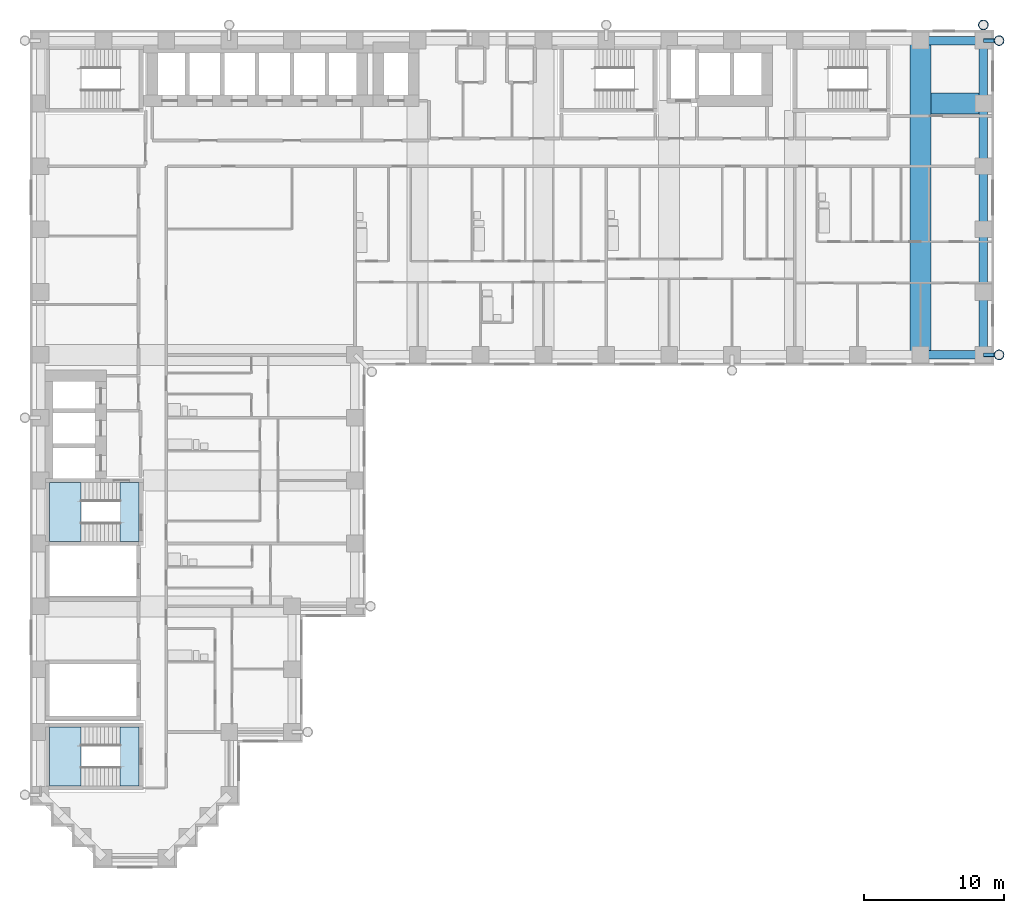
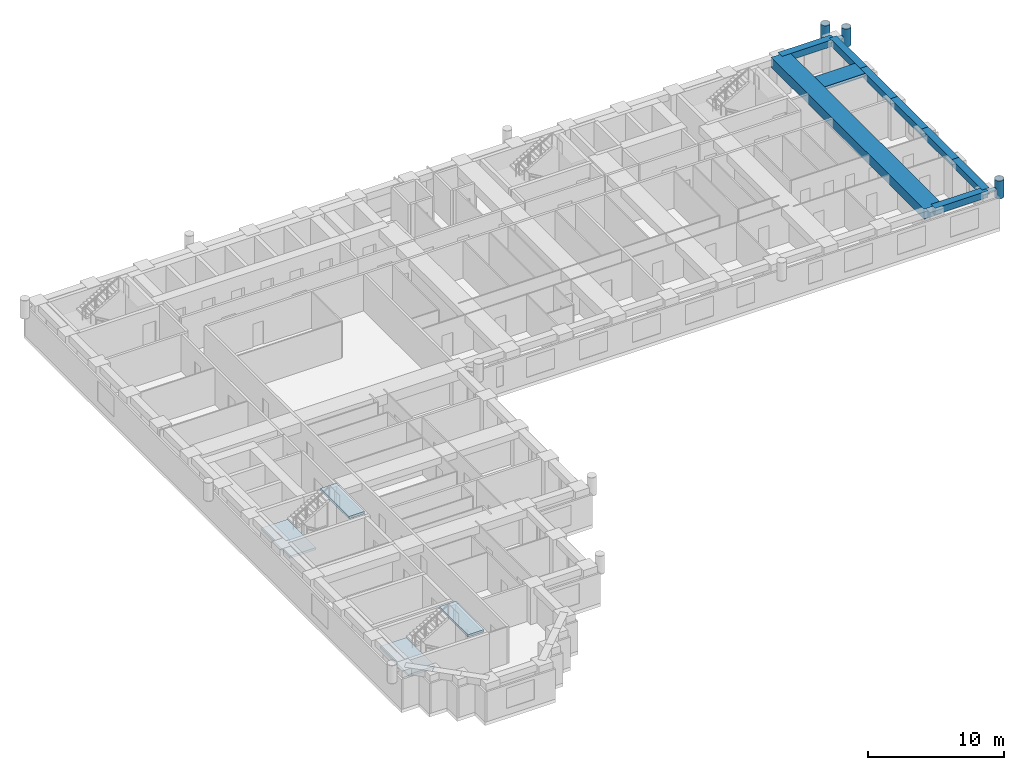
# One storey, part 3 of 14: 9 beams, 5 members, 4 slabs, 2 elements without a shape of their own.
"""IFC4 building model written with IfcOpenShell, lengths in metres."""

from ifc_helpers import new_model, si_unit, direction, frame, origin, origin_2d, place, context, subcontext, project, spatial, polyline, rectangle, hollow_circle, outline, extrude, material, layer, layer_set, material_profile, profile_set, type_object, element, aggregate, save


model = new_model("IFC4")

# Units and contexts
model_context = context("Model", 3, precision=1e-05, world=origin(), true_north=direction((0.0, 1.0)))
body_context = subcontext(model_context, "Body", "Model", "MODEL_VIEW")
ifc_project = project(units=[si_unit("LENGTHUNIT", "METRE"), si_unit("AREAUNIT", "SQUARE_METRE"), si_unit("VOLUMEUNIT", "CUBIC_METRE"), si_unit("PLANEANGLEUNIT", "RADIAN"), si_unit("MASSUNIT", "GRAM", prefix="KILO")], contexts=[model_context])

# Site, building, storey
site_placement = place(None, origin())
site = spatial("IfcSite", under=ifc_project, at=site_placement, CompositionType="ELEMENT")
building_placement = place(site_placement, origin())
building = spatial("IfcBuilding", under=site, at=building_placement, Name="Firuza Court", CompositionType="ELEMENT")
storey_placement = place(building_placement, frame((0.0, 0.0, 47.0)))
storey = spatial("IfcBuildingStorey", under=building, at=storey_placement, Name="L10", CompositionType="ELEMENT", Elevation=47.0)

# Beams
ifc_material_1 = material(Name="Concrete C40/50", Category="concrete")
ifc_material_profile_1 = material_profile(ifc_material_1, rectangle(XDim=1.5, YDim=0.300048828125, at=origin_2d()), Name="RC 1500x300")
ifc_profile_set_1 = profile_set([ifc_material_profile_1], Name="Concrete C40/50")
beam_type_1 = type_object("IfcBeamType", Name="Band beam RC 1500x300 C40/50", PredefinedType="BEAM", material=ifc_profile_set_1)
beam_1_placement = place(storey_placement, frame((67.5, 54.0, 3.14990234375), z_axis=(-1.0, 0.0, 0.0), x_axis=(0.0, -1.0, 0.0)))
element("IfcBeam", 1, at=beam_1_placement, inside=storey, type_object=beam_type_1, Name="Band beam FB6 level L11", PredefinedType="BEAM", context=body_context, shape_type="SweptSolid", body=[
    extrude(rectangle(XDim=1.5, YDim=0.300048828125, at=origin_2d()), origin(), (0.0, 0.0, 1.0), 3.75),
])
ifc_material_2 = material(Name="Concrete C40/50", Category="concrete")
ifc_material_profile_2 = material_profile(ifc_material_2, rectangle(XDim=1.5, YDim=0.89990234375, at=origin_2d()), Name="RC 1500x900")
ifc_profile_set_2 = profile_set([ifc_material_profile_2], Name="Concrete C40/50")
beam_type_2 = type_object("IfcBeamType", Name="Band beam RC 1500x900 C40/50", PredefinedType="BEAM", material=ifc_profile_set_2)
beam_2_placement = place(storey_placement, frame((63.0, 36.0, 2.85009765625), z_axis=(0.0, 1.0, 0.0), x_axis=(-1.0, 0.0, 0.0)))
element("IfcBeam", 2, at=beam_2_placement, inside=storey, type_object=beam_type_2, Name="Band beam FB2 level L11", PredefinedType="BEAM", context=body_context, shape_type="SweptSolid", body=[
    extrude(rectangle(XDim=1.5, YDim=0.89990234375, at=origin_2d()), origin(), (0.0, 0.0, 1.0), 22.5),
])

# Members
ifc_material_3 = material(Name="Steel S355", Category="steel")
ifc_material_profile_3 = material_profile(ifc_material_3, hollow_circle(Radius=0.35546875, WallThickness=0.030029296875, at=origin_2d()), Name="CHS 711x30")
ifc_profile_set_3 = profile_set([ifc_material_profile_3], Name="Steel S355")
member_type_1 = type_object("IfcMemberType", Name="Diagrid node CHS 711x30 S355", PredefinedType="USERDEFINED", material=ifc_profile_set_3)
for number, where, z_axis, x_axis, name in (
    (3, (67.5, 59.6201171875, 2.25), (0.0, 0.0, 1.0), (1.0, 0.0, 0.0), "Diagrid node level L10"),
    (4, (68.6201171875, 36.0, 2.25), (0.0, 0.0, 1.0), (1.0, 0.0, 0.0), "Diagrid node level L10"),
    (5, (68.6201171875, 58.5, 2.25), (0.0, 0.0, 1.0), (1.0, 0.0, 0.0), "Diagrid node level L10"),
):
    element("IfcMember", number, at=place(storey_placement, frame(where, z_axis=z_axis, x_axis=x_axis)), inside=storey, type_object=member_type_1, Name=name, ObjectType="DIAGRID NODE", PredefinedType="USERDEFINED", context=body_context, shape_type="SweptSolid", body=[
        extrude(hollow_circle(Radius=0.35546875, WallThickness=0.030029296875, at=origin_2d()), origin(), (0.0, 0.0, 1.0), 1.60009765625),
    ])
ifc_material_4 = material(Name="Steel S355", Category="steel")
ifc_material_profile_4 = material_profile(ifc_material_4, hollow_circle(Radius=0.136474609375, WallThickness=0.012451171875, at=origin_2d()), Name="CHS 273x12.5")
ifc_profile_set_4 = profile_set([ifc_material_profile_4], Name="Steel S355")
member_type_2 = type_object("IfcMemberType", Name="Diagrid tie CHS 273x12.5 S355", PredefinedType="STRUT", material=ifc_profile_set_4)
for number, where, z_axis, x_axis, name in (
    (6, (67.5, 36.0, 3.050048828125), (1.0, 0.0, 0.0), (0.0, 1.0, 0.0), "Diagrid tie level L11"),
    (7, (67.5, 58.5, 3.050048828125), (1.0, 0.0, 0.0), (0.0, 1.0, 0.0), "Diagrid tie level L11"),
):
    element("IfcMember", number, at=place(storey_placement, frame(where, z_axis=z_axis, x_axis=x_axis)), inside=storey, type_object=member_type_2, Name=name, PredefinedType="STRUT", context=body_context, shape_type="SweptSolid", body=[
        extrude(hollow_circle(Radius=0.136474609375, WallThickness=0.012451171875, at=origin_2d()), origin(), (0.0, 0.0, 1.0), 1.1201171875),
    ])

# Beams
ifc_material_5 = material(Name="Concrete C40/50", Category="concrete")
ifc_material_profile_5 = material_profile(ifc_material_5, rectangle(XDim=0.60009765625, YDim=0.60009765625, at=origin_2d()), Name="RC 600x600")
ifc_profile_set_5 = profile_set([ifc_material_profile_5], Name="Concrete C40/50")
beam_type_3 = type_object("IfcBeamType", Name="Spandrel beam RC 600x600 C40/50", PredefinedType="BEAM", material=ifc_profile_set_5)
for number, where, z_axis, x_axis, name in (
    (8, (63.0, 36.0, 3.0), (1.0, 0.0, 0.0), (0.0, 1.0, 0.0), "Spandrel beam SP11 level L11"),
    (9, (67.5, 36.0, 3.0), (0.0, 1.0, 0.0), (-1.0, 0.0, 0.0), "Spandrel beam SP11 level L11"),
    (10, (67.5, 40.5, 3.0), (0.0, 1.0, 0.0), (-1.0, 0.0, 0.0), "Spandrel beam SP11 level L11"),
    (11, (67.5, 45.0, 3.0), (0.0, 1.0, 0.0), (-1.0, 0.0, 0.0), "Spandrel beam SP11 level L11"),
    (12, (67.5, 49.5, 3.0), (0.0, 1.0, 0.0), (-1.0, 0.0, 0.0), "Spandrel beam SP11 level L11"),
    (13, (67.5, 54.0, 3.0), (0.0, 1.0, 0.0), (-1.0, 0.0, 0.0), "Spandrel beam SP11 level L11"),
    (14, (67.5, 58.5, 3.0), (-1.0, 0.0, 0.0), (0.0, -1.0, 0.0), "Spandrel beam SP11 level L11"),
):
    element("IfcBeam", number, at=place(storey_placement, frame(where, z_axis=z_axis, x_axis=x_axis)), inside=storey, type_object=beam_type_3, Name=name, PredefinedType="BEAM", context=body_context, shape_type="SweptSolid", body=[
        extrude(rectangle(XDim=0.60009765625, YDim=0.60009765625, at=origin_2d()), origin(), (0.0, 0.0, 1.0), 4.5),
    ])

# Stair, slabs
ifc_material_6 = material(Name="Concrete C40/50 precast", Category="concrete")
stair_type = type_object("IfcStairType", Name="Stair 1350 x 3600 2 flights", PredefinedType="HALF_TURN_STAIR", material=ifc_material_6)
stair_1_placement = place(storey_placement, origin())
stair_1 = element("IfcStair", 15, at=stair_1_placement, inside=storey, type_object=stair_type, Name="Stair 2 L10", PredefinedType="HALF_TURN_STAIR")
ifc_material_7 = material(Name="Concrete C40/50 precast", Category="concrete")
ifc_layer = layer(ifc_material_7, 0.199951171875)
ifc_layer_set = layer_set([ifc_layer], Name="Concrete C40/50 precast")
slab_type = type_object("IfcSlabType", Name="Stair landing 200", PredefinedType="LANDING", material=ifc_layer_set)
slab_1_placement = place(storey_placement, frame((0.0, 0.0, 1.60009765625)))
slab_1 = element("IfcSlab", 16, at=slab_1_placement, type_object=slab_type, Name="S2 landing 1", PredefinedType="LANDING", context=body_context, shape_type="SweptSolid", body=[
    extrude(outline(polyline([(2.89990234375, 22.64990234375), (2.89990234375, 26.85009765625), (0.64990234375, 26.85009765625), (0.64990234375, 22.64990234375), (2.89990234375, 22.64990234375)])), origin(), (0.0, 0.0, 1.0), 0.199951171875),
])
slab_2_placement = place(storey_placement, frame((0.0, 0.0, 3.39990234375)))
slab_2 = element("IfcSlab", 17, at=slab_2_placement, type_object=slab_type, Name="S2 landing 2", PredefinedType="LANDING", context=body_context, shape_type="SweptSolid", body=[
    extrude(outline(polyline([(7.050048828125, 22.64990234375), (7.050048828125, 26.85009765625), (5.699951171875, 26.85009765625), (5.699951171875, 22.64990234375), (7.050048828125, 22.64990234375)])), origin(), (0.0, 0.0, 1.0), 0.2001953125),
])
aggregate(stair_1, [slab_1, slab_2])

stair_2_placement = place(storey_placement, origin())
stair_2 = element("IfcStair", 18, at=stair_2_placement, inside=storey, type_object=stair_type, Name="Stair 5 L10", PredefinedType="HALF_TURN_STAIR")
slab_3_placement = place(storey_placement, frame((0.0, 0.0, 1.60009765625)))
slab_3 = element("IfcSlab", 19, at=slab_3_placement, type_object=slab_type, Name="S5 landing 1", PredefinedType="LANDING", context=body_context, shape_type="SweptSolid", body=[
    extrude(outline(polyline([(2.89990234375, 5.14990234375), (2.89990234375, 9.35009765625), (0.64990234375, 9.35009765625), (0.64990234375, 5.14990234375), (2.89990234375, 5.14990234375)])), origin(), (0.0, 0.0, 1.0), 0.199951171875),
])
slab_4_placement = place(storey_placement, frame((0.0, 0.0, 3.39990234375)))
slab_4 = element("IfcSlab", 20, at=slab_4_placement, type_object=slab_type, Name="S5 landing 2", PredefinedType="LANDING", context=body_context, shape_type="SweptSolid", body=[
    extrude(outline(polyline([(7.050048828125, 5.14990234375), (7.050048828125, 9.35009765625), (5.699951171875, 9.35009765625), (5.699951171875, 5.14990234375), (7.050048828125, 5.14990234375)])), origin(), (0.0, 0.0, 1.0), 0.2001953125),
])
aggregate(stair_2, [slab_3, slab_4])

save(model, "model.ifc")
